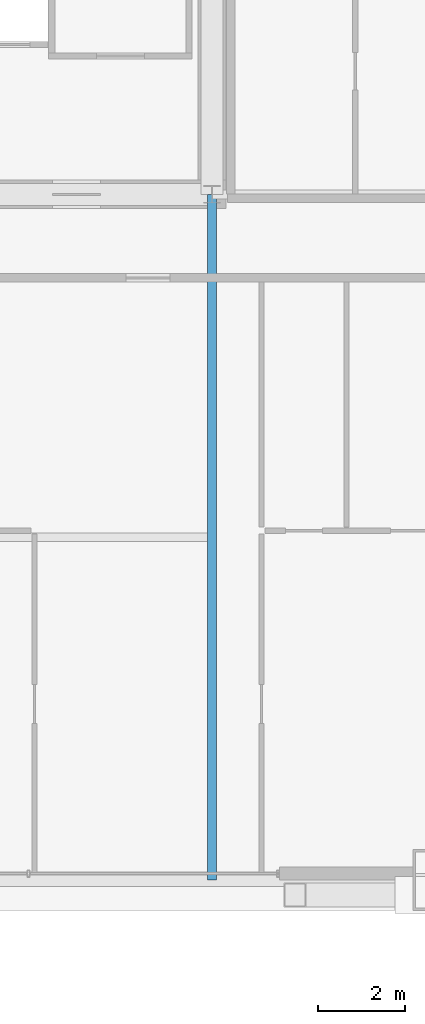
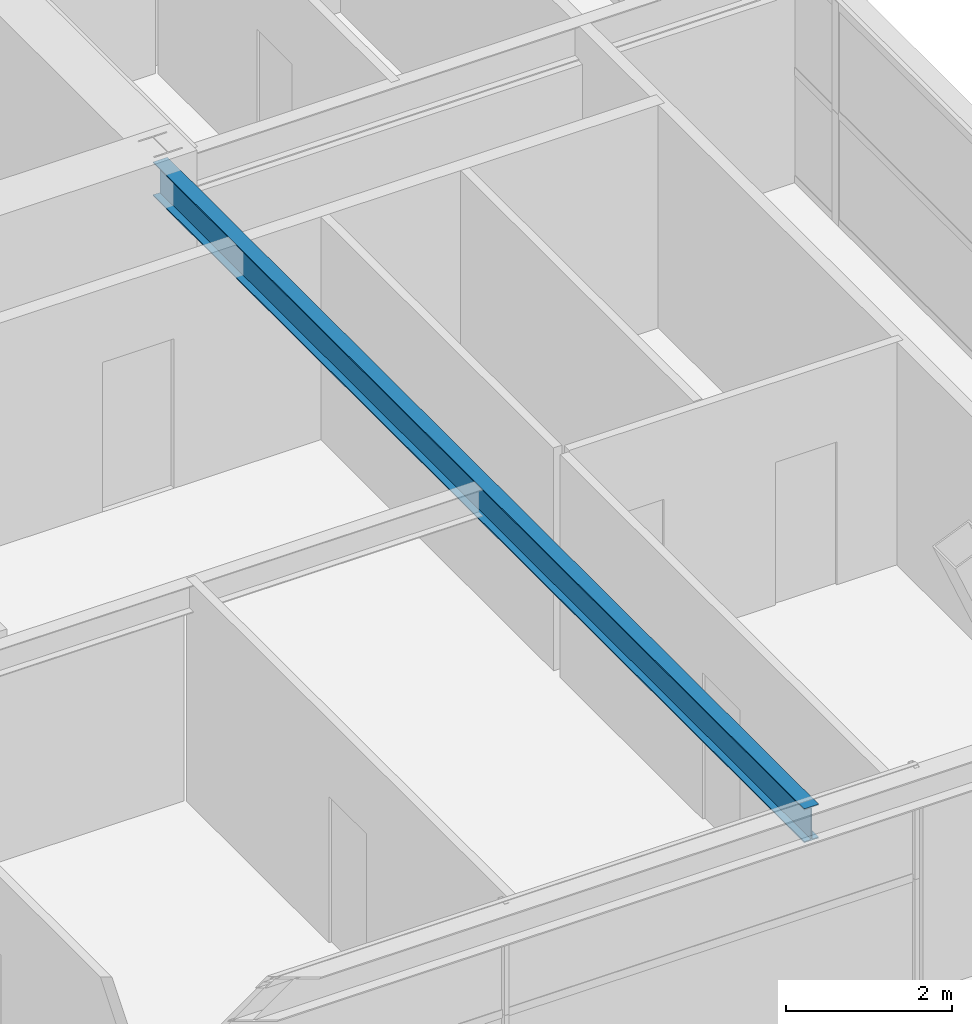
# One storey, part 21 of 45: 1 beam.
"""IFC4 building model written with IfcOpenShell, lengths in metres."""

from ifc_helpers import new_model, si_unit, direction, frame, origin, origin_2d, place, context, subcontext, project, spatial, i_section, extrude, source, transform, mapped, material, material_profile, profile_set, type_object, element, save


model = new_model("IFC4")

# Units and contexts
model_context = context("Model", 3, precision=1e-05, world=origin(), true_north=direction((0.0, 1.0)))
body_context = subcontext(model_context, "Body", "Model", "MODEL_VIEW")
ifc_project = project(units=[si_unit("LENGTHUNIT", "METRE"), si_unit("AREAUNIT", "SQUARE_METRE"), si_unit("VOLUMEUNIT", "CUBIC_METRE"), si_unit("PLANEANGLEUNIT", "RADIAN"), si_unit("MASSUNIT", "GRAM", prefix="KILO"), si_unit("THERMODYNAMICTEMPERATUREUNIT", "KELVIN"), si_unit("POWERUNIT", "WATT")], contexts=[model_context])

# Site, building, storey
site_placement = place(None, origin())
site = spatial("IfcSite", under=ifc_project, at=site_placement, CompositionType="ELEMENT")
building_placement = place(site_placement, origin())
building = spatial("IfcBuilding", under=site, at=building_placement, Name="Yuzanri Waterfront Tower", CompositionType="ELEMENT")
storey_placement = place(building_placement, frame((0.0, 0.0, 191.5)))
storey = spatial("IfcBuildingStorey", under=building, at=storey_placement, Name="L50", CompositionType="ELEMENT", Elevation=191.5)

# Beam
ifc_material = material(Name="Steel Q355B", Category="steel")
ifc_material_profile = material_profile(ifc_material, i_section(OverallWidth=0.199951171875, OverallDepth=0.5, WebThickness=0.010009765625, FlangeThickness=0.01611328125, at=origin_2d()), Name="HN 500x200x10x16")
ifc_profile_set = profile_set([ifc_material_profile], Name="Steel Q355B")
beam_type = type_object("IfcBeamType", Name="Secondary Floor Beam Q355B HN 500x200", PredefinedType="BEAM", material=ifc_profile_set)
shared_shape = source(origin(), body_context, "Body", "SweptSolid", [
    extrude(i_section(OverallWidth=0.199951171875, OverallDepth=0.5, WebThickness=0.010009765625, FlangeThickness=0.01611328125, at=origin_2d()), origin(), (0.0, 0.0, 1.0), 15.699951171875),
])
beam_placement = place(storey_placement, frame((50.199951171875, 19.39990234375, 3.030029296875), z_axis=(0.0, -1.0, 0.0), x_axis=(1.0, 0.0, 0.0)))
element("IfcBeam", 1, at=beam_placement, inside=storey, type_object=beam_type, Name="L50 South-East Core Line Beam", PredefinedType="BEAM", context=body_context, shape_type="MappedRepresentation", body=[
    mapped(shared_shape, transform((0.0, 0.0, 0.0), scale=1.0)),
])

save(model, "model.ifc")
